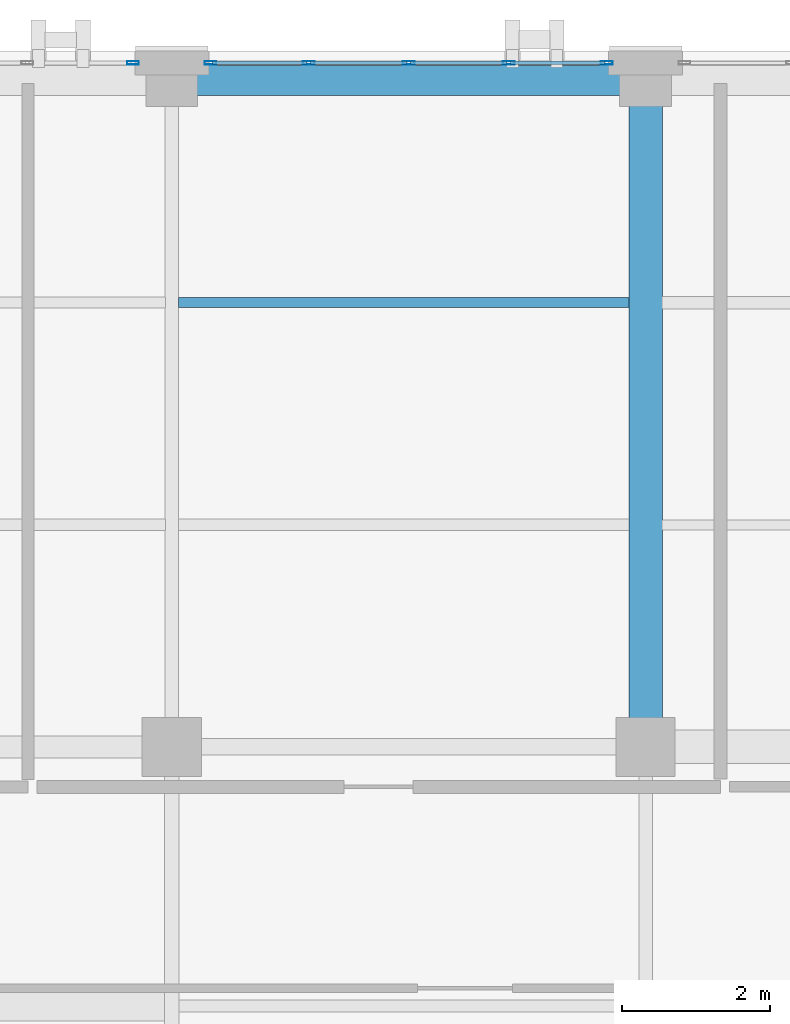
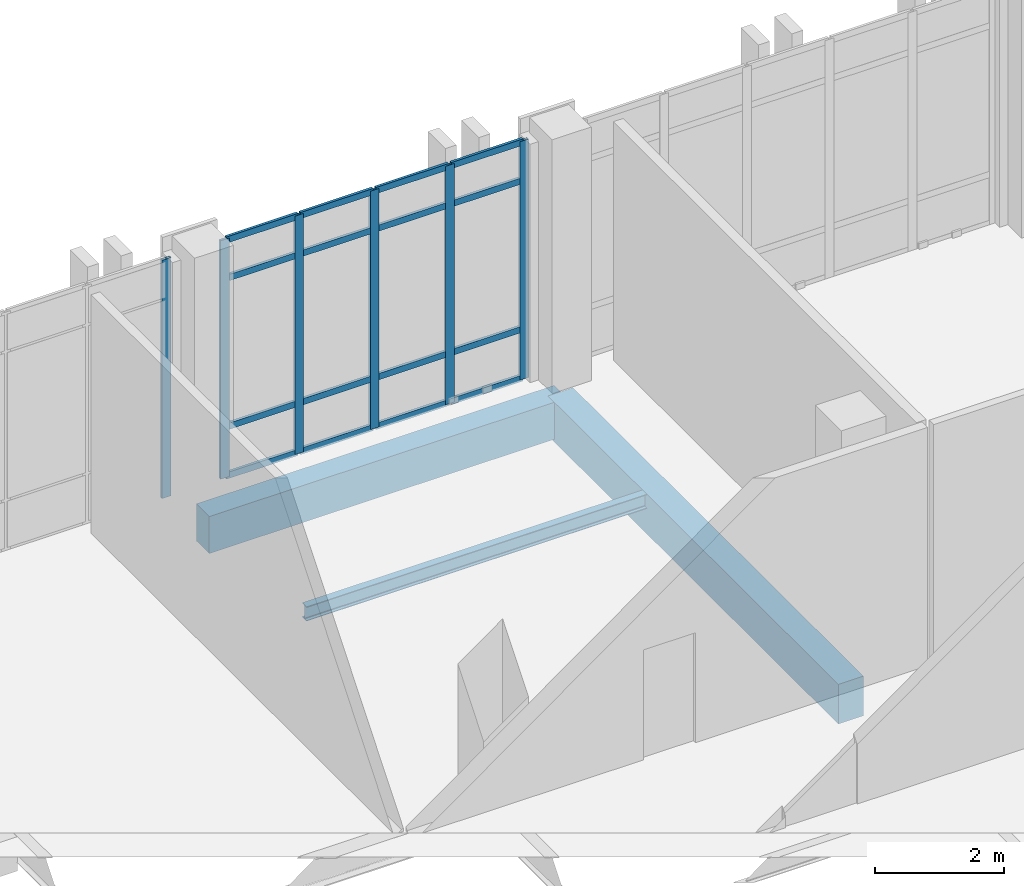
# One storey, part 97 of 189: 22 members, 3 beams, 2 elements without a shape of their own.
"""IFC4 building model written with IfcOpenShell, lengths in metres."""

from ifc_helpers import new_model, si_unit, direction, frame, origin, origin_2d, place, context, subcontext, project, spatial, rectangle, hollow_rectangle, i_section, extrude, material, layer, layer_set, material_profile, profile_set, type_object, element, aggregate, save


model = new_model("IFC4")

# Units and contexts
model_context = context("Model", 3, precision=1e-05, world=origin(), true_north=direction((0.0, 1.0)))
body_context = subcontext(model_context, "Body", "Model", "MODEL_VIEW")
ifc_project = project(units=[si_unit("LENGTHUNIT", "METRE"), si_unit("AREAUNIT", "SQUARE_METRE"), si_unit("VOLUMEUNIT", "CUBIC_METRE"), si_unit("PLANEANGLEUNIT", "RADIAN"), si_unit("MASSUNIT", "GRAM", prefix="KILO")], contexts=[model_context])

# Site, building, storey
site_placement = place(None, origin())
site = spatial("IfcSite", under=ifc_project, at=site_placement, CompositionType="ELEMENT")
building_placement = place(site_placement, origin())
building = spatial("IfcBuilding", under=site, at=building_placement, Name="Qalavern Law Courts", CompositionType="ELEMENT")
storey_placement = place(building_placement, frame((0.0, 0.0, 5.39990234375)))
storey = spatial("IfcBuildingStorey", under=building, at=storey_placement, Name="L01", CompositionType="ELEMENT", Elevation=5.39990234375)

# Curtain wall, members
ifc_material_1 = material(Name="Anodised aluminium and insulated glazing", Category="aluminium")
ifc_layer = layer(ifc_material_1, 0.166015625)
ifc_layer_set = layer_set([ifc_layer], Name="Anodised aluminium and insulated glazing")
curtain_wall_type = type_object("IfcCurtainWallType", Name="ENV-CW-LIB", PredefinedType="USERDEFINED", material=ifc_layer_set)
curtain_wall_1_placement = place(storey_placement, origin())
curtain_wall_1 = element("IfcCurtainWall", 1, at=curtain_wall_1_placement, inside=storey, type_object=curtain_wall_type, Name="V5 unitised curtain wall L01 north 2", ObjectType="UNITISED CURTAIN WALL", PredefinedType="USERDEFINED")
ifc_material_2 = material(Name="Anodised aluminium", Category="aluminium")
ifc_material_profile_1 = material_profile(ifc_material_2, hollow_rectangle(XDim=0.048095703125, YDim=0.159912109375, WallThickness=0.00390625, at=origin_2d()), Name="ALU MULLION 48x160")
ifc_profile_set_1 = profile_set([ifc_material_profile_1], Name="Anodised aluminium")
member_type_1 = type_object("IfcMemberType", Name="ENV-CWM-48x160", PredefinedType="MULLION", material=ifc_profile_set_1)
member_1_placement = place(storey_placement, frame((57.47607421875, 112.83740234375, 0.0), z_axis=(0.0, 0.0, 1.0), x_axis=(0.0, -1.0, 0.0)))
member_1 = element("IfcMember", 2, at=member_1_placement, type_object=member_type_1, Name="CW-05 mullion 1", PredefinedType="MULLION", context=body_context, shape_type="SweptSolid", body=[
    extrude(hollow_rectangle(XDim=0.048095703125, YDim=0.159912109375, WallThickness=0.00390625, at=origin_2d()), origin(), (0.0, 0.0, 1.0), 4.510009765625),
])
member_2_placement = place(storey_placement, frame((56.14990234375, 112.83740234375, 0.0), z_axis=(0.0, 0.0, 1.0), x_axis=(0.0, -1.0, 0.0)))
member_2 = element("IfcMember", 3, at=member_2_placement, type_object=member_type_1, Name="CW-05 mullion 2", PredefinedType="MULLION", context=body_context, shape_type="SweptSolid", body=[
    extrude(hollow_rectangle(XDim=0.048095703125, YDim=0.159912109375, WallThickness=0.00390625, at=origin_2d()), origin(), (0.0, 0.0, 1.0), 4.510009765625),
])
member_3_placement = place(storey_placement, frame((54.800048828125, 112.83740234375, 0.0), z_axis=(0.0, 0.0, 1.0), x_axis=(0.0, -1.0, 0.0)))
member_3 = element("IfcMember", 4, at=member_3_placement, type_object=member_type_1, Name="CW-05 mullion 3", PredefinedType="MULLION", context=body_context, shape_type="SweptSolid", body=[
    extrude(hollow_rectangle(XDim=0.048095703125, YDim=0.159912109375, WallThickness=0.00390625, at=origin_2d()), origin(), (0.0, 0.0, 1.0), 4.510009765625),
])
member_4_placement = place(storey_placement, frame((53.449951171875, 112.83740234375, 0.0), z_axis=(0.0, 0.0, 1.0), x_axis=(0.0, -1.0, 0.0)))
member_4 = element("IfcMember", 5, at=member_4_placement, type_object=member_type_1, Name="CW-05 mullion 4", PredefinedType="MULLION", context=body_context, shape_type="SweptSolid", body=[
    extrude(hollow_rectangle(XDim=0.048095703125, YDim=0.159912109375, WallThickness=0.00390625, at=origin_2d()), origin(), (0.0, 0.0, 1.0), 4.510009765625),
])
member_5_placement = place(storey_placement, frame((52.1240234375, 112.83740234375, 0.0), z_axis=(0.0, 0.0, 1.0), x_axis=(0.0, -1.0, 0.0)))
member_5 = element("IfcMember", 6, at=member_5_placement, type_object=member_type_1, Name="CW-05 mullion 5", PredefinedType="MULLION", context=body_context, shape_type="SweptSolid", body=[
    extrude(hollow_rectangle(XDim=0.048095703125, YDim=0.159912109375, WallThickness=0.00390625, at=origin_2d()), origin(), (0.0, 0.0, 1.0), 4.510009765625),
])

# Curtain wall, member
curtain_wall_2_placement = place(storey_placement, origin())
curtain_wall_2 = element("IfcCurtainWall", 7, at=curtain_wall_2_placement, inside=storey, type_object=curtain_wall_type, Name="V5 unitised curtain wall L01 north 3", ObjectType="UNITISED CURTAIN WALL", PredefinedType="USERDEFINED")
member_6_placement = place(storey_placement, frame((51.075927734375, 112.83740234375, 0.0), z_axis=(0.0, 0.0, 1.0), x_axis=(0.0, -1.0, 0.0)))
member_6 = element("IfcMember", 8, at=member_6_placement, type_object=member_type_1, Name="CW-05 mullion 1", PredefinedType="MULLION", context=body_context, shape_type="SweptSolid", body=[
    extrude(hollow_rectangle(XDim=0.048095703125, YDim=0.159912109375, WallThickness=0.00390625, at=origin_2d()), origin(), (0.0, 0.0, 1.0), 4.510009765625),
])
aggregate(curtain_wall_2, [member_6])

# Member
ifc_material_profile_2 = material_profile(ifc_material_2, hollow_rectangle(XDim=0.048095703125, YDim=0.1201171875, WallThickness=0.00390625, at=origin_2d()), Name="ALU TRANSOM 48x120")
ifc_profile_set_2 = profile_set([ifc_material_profile_2], Name="Anodised aluminium")
member_type_2 = type_object("IfcMemberType", Name="ENV-CWT-48x120", PredefinedType="USERDEFINED", material=ifc_profile_set_2)
member_7_placement = place(storey_placement, frame((57.451904296875, 112.83740234375, 0.024169921875), z_axis=(-1.0, 0.0, 0.0), x_axis=(0.0, -1.0, 0.0)))
member_7 = element("IfcMember", 9, at=member_7_placement, type_object=member_type_2, Name="CW-05 transom 1.1", ObjectType="TRANSOM", PredefinedType="USERDEFINED", context=body_context, shape_type="SweptSolid", body=[
    extrude(hollow_rectangle(XDim=0.048095703125, YDim=0.1201171875, WallThickness=0.00390625, at=origin_2d()), origin(), (0.0, 0.0, 1.0), 1.27783203125),
])

member_8_placement = place(storey_placement, frame((57.451904296875, 112.83740234375, 0.9501953125), z_axis=(-1.0, 0.0, 0.0), x_axis=(0.0, -1.0, 0.0)))
member_8 = element("IfcMember", 10, at=member_8_placement, type_object=member_type_2, Name="CW-05 transom 1.2", ObjectType="TRANSOM", PredefinedType="USERDEFINED", context=body_context, shape_type="SweptSolid", body=[
    extrude(hollow_rectangle(XDim=0.048095703125, YDim=0.1201171875, WallThickness=0.00390625, at=origin_2d()), origin(), (0.0, 0.0, 1.0), 1.27783203125),
])

member_9_placement = place(storey_placement, frame((57.451904296875, 112.83740234375, 3.760009765625), z_axis=(-1.0, 0.0, 0.0), x_axis=(0.0, -1.0, 0.0)))
member_9 = element("IfcMember", 11, at=member_9_placement, type_object=member_type_2, Name="CW-05 transom 1.3", ObjectType="TRANSOM", PredefinedType="USERDEFINED", context=body_context, shape_type="SweptSolid", body=[
    extrude(hollow_rectangle(XDim=0.048095703125, YDim=0.1201171875, WallThickness=0.00390625, at=origin_2d()), origin(), (0.0, 0.0, 1.0), 1.27783203125),
])

member_10_placement = place(storey_placement, frame((57.451904296875, 112.83740234375, 4.486083984375), z_axis=(-1.0, 0.0, 0.0), x_axis=(0.0, -1.0, 0.0)))
member_10 = element("IfcMember", 12, at=member_10_placement, type_object=member_type_2, Name="CW-05 transom 1.4", ObjectType="TRANSOM", PredefinedType="USERDEFINED", context=body_context, shape_type="SweptSolid", body=[
    extrude(hollow_rectangle(XDim=0.048095703125, YDim=0.1201171875, WallThickness=0.00390625, at=origin_2d()), origin(), (0.0, 0.0, 1.0), 1.27783203125),
])

member_11_placement = place(storey_placement, frame((56.1259765625, 112.83740234375, 0.024169921875), z_axis=(-1.0, 0.0, 0.0), x_axis=(0.0, -1.0, 0.0)))
member_11 = element("IfcMember", 13, at=member_11_placement, type_object=member_type_2, Name="CW-05 transom 2.1", ObjectType="TRANSOM", PredefinedType="USERDEFINED", context=body_context, shape_type="SweptSolid", body=[
    extrude(hollow_rectangle(XDim=0.048095703125, YDim=0.1201171875, WallThickness=0.00390625, at=origin_2d()), origin(), (0.0, 0.0, 1.0), 1.302001953125),
])

member_12_placement = place(storey_placement, frame((56.1259765625, 112.83740234375, 0.9501953125), z_axis=(-1.0, 0.0, 0.0), x_axis=(0.0, -1.0, 0.0)))
member_12 = element("IfcMember", 14, at=member_12_placement, type_object=member_type_2, Name="CW-05 transom 2.2", ObjectType="TRANSOM", PredefinedType="USERDEFINED", context=body_context, shape_type="SweptSolid", body=[
    extrude(hollow_rectangle(XDim=0.048095703125, YDim=0.1201171875, WallThickness=0.00390625, at=origin_2d()), origin(), (0.0, 0.0, 1.0), 1.302001953125),
])

member_13_placement = place(storey_placement, frame((56.1259765625, 112.83740234375, 3.760009765625), z_axis=(-1.0, 0.0, 0.0), x_axis=(0.0, -1.0, 0.0)))
member_13 = element("IfcMember", 15, at=member_13_placement, type_object=member_type_2, Name="CW-05 transom 2.3", ObjectType="TRANSOM", PredefinedType="USERDEFINED", context=body_context, shape_type="SweptSolid", body=[
    extrude(hollow_rectangle(XDim=0.048095703125, YDim=0.1201171875, WallThickness=0.00390625, at=origin_2d()), origin(), (0.0, 0.0, 1.0), 1.302001953125),
])

member_14_placement = place(storey_placement, frame((56.1259765625, 112.83740234375, 4.486083984375), z_axis=(-1.0, 0.0, 0.0), x_axis=(0.0, -1.0, 0.0)))
member_14 = element("IfcMember", 16, at=member_14_placement, type_object=member_type_2, Name="CW-05 transom 2.4", ObjectType="TRANSOM", PredefinedType="USERDEFINED", context=body_context, shape_type="SweptSolid", body=[
    extrude(hollow_rectangle(XDim=0.048095703125, YDim=0.1201171875, WallThickness=0.00390625, at=origin_2d()), origin(), (0.0, 0.0, 1.0), 1.302001953125),
])

member_15_placement = place(storey_placement, frame((54.77587890625, 112.83740234375, 0.024169921875), z_axis=(-1.0, 0.0, 0.0), x_axis=(0.0, -1.0, 0.0)))
member_15 = element("IfcMember", 17, at=member_15_placement, type_object=member_type_2, Name="CW-05 transom 3.1", ObjectType="TRANSOM", PredefinedType="USERDEFINED", context=body_context, shape_type="SweptSolid", body=[
    extrude(hollow_rectangle(XDim=0.048095703125, YDim=0.1201171875, WallThickness=0.00390625, at=origin_2d()), origin(), (0.0, 0.0, 1.0), 1.3017578125),
])

member_16_placement = place(storey_placement, frame((54.77587890625, 112.83740234375, 0.9501953125), z_axis=(-1.0, 0.0, 0.0), x_axis=(0.0, -1.0, 0.0)))
member_16 = element("IfcMember", 18, at=member_16_placement, type_object=member_type_2, Name="CW-05 transom 3.2", ObjectType="TRANSOM", PredefinedType="USERDEFINED", context=body_context, shape_type="SweptSolid", body=[
    extrude(hollow_rectangle(XDim=0.048095703125, YDim=0.1201171875, WallThickness=0.00390625, at=origin_2d()), origin(), (0.0, 0.0, 1.0), 1.3017578125),
])

member_17_placement = place(storey_placement, frame((54.77587890625, 112.83740234375, 3.760009765625), z_axis=(-1.0, 0.0, 0.0), x_axis=(0.0, -1.0, 0.0)))
member_17 = element("IfcMember", 19, at=member_17_placement, type_object=member_type_2, Name="CW-05 transom 3.3", ObjectType="TRANSOM", PredefinedType="USERDEFINED", context=body_context, shape_type="SweptSolid", body=[
    extrude(hollow_rectangle(XDim=0.048095703125, YDim=0.1201171875, WallThickness=0.00390625, at=origin_2d()), origin(), (0.0, 0.0, 1.0), 1.3017578125),
])

member_18_placement = place(storey_placement, frame((54.77587890625, 112.83740234375, 4.486083984375), z_axis=(-1.0, 0.0, 0.0), x_axis=(0.0, -1.0, 0.0)))
member_18 = element("IfcMember", 20, at=member_18_placement, type_object=member_type_2, Name="CW-05 transom 3.4", ObjectType="TRANSOM", PredefinedType="USERDEFINED", context=body_context, shape_type="SweptSolid", body=[
    extrude(hollow_rectangle(XDim=0.048095703125, YDim=0.1201171875, WallThickness=0.00390625, at=origin_2d()), origin(), (0.0, 0.0, 1.0), 1.3017578125),
])

member_19_placement = place(storey_placement, frame((53.426025390625, 112.83740234375, 0.024169921875), z_axis=(-1.0, 0.0, 0.0), x_axis=(0.0, -1.0, 0.0)))
member_19 = element("IfcMember", 21, at=member_19_placement, type_object=member_type_2, Name="CW-05 transom 4.1", ObjectType="TRANSOM", PredefinedType="USERDEFINED", context=body_context, shape_type="SweptSolid", body=[
    extrude(hollow_rectangle(XDim=0.048095703125, YDim=0.1201171875, WallThickness=0.00390625, at=origin_2d()), origin(), (0.0, 0.0, 1.0), 1.278076171875),
])

member_20_placement = place(storey_placement, frame((53.426025390625, 112.83740234375, 0.9501953125), z_axis=(-1.0, 0.0, 0.0), x_axis=(0.0, -1.0, 0.0)))
member_20 = element("IfcMember", 22, at=member_20_placement, type_object=member_type_2, Name="CW-05 transom 4.2", ObjectType="TRANSOM", PredefinedType="USERDEFINED", context=body_context, shape_type="SweptSolid", body=[
    extrude(hollow_rectangle(XDim=0.048095703125, YDim=0.1201171875, WallThickness=0.00390625, at=origin_2d()), origin(), (0.0, 0.0, 1.0), 1.278076171875),
])

member_21_placement = place(storey_placement, frame((53.426025390625, 112.83740234375, 3.760009765625), z_axis=(-1.0, 0.0, 0.0), x_axis=(0.0, -1.0, 0.0)))
member_21 = element("IfcMember", 23, at=member_21_placement, type_object=member_type_2, Name="CW-05 transom 4.3", ObjectType="TRANSOM", PredefinedType="USERDEFINED", context=body_context, shape_type="SweptSolid", body=[
    extrude(hollow_rectangle(XDim=0.048095703125, YDim=0.1201171875, WallThickness=0.00390625, at=origin_2d()), origin(), (0.0, 0.0, 1.0), 1.278076171875),
])

member_22_placement = place(storey_placement, frame((53.426025390625, 112.83740234375, 4.486083984375), z_axis=(-1.0, 0.0, 0.0), x_axis=(0.0, -1.0, 0.0)))
member_22 = element("IfcMember", 24, at=member_22_placement, type_object=member_type_2, Name="CW-05 transom 4.4", ObjectType="TRANSOM", PredefinedType="USERDEFINED", context=body_context, shape_type="SweptSolid", body=[
    extrude(hollow_rectangle(XDim=0.048095703125, YDim=0.1201171875, WallThickness=0.00390625, at=origin_2d()), origin(), (0.0, 0.0, 1.0), 1.278076171875),
])

aggregate(curtain_wall_1, [member_1, member_2, member_3, member_4, member_5, member_7, member_8, member_9, member_10, member_11, member_12, member_13, member_14, member_15, member_16, member_17, member_18, member_19, member_20, member_21, member_22])

# Beams
ifc_material_3 = material(Name="Concrete C40/50", Category="concrete")
ifc_material_profile_3 = material_profile(ifc_material_3, rectangle(XDim=0.449951171875, YDim=0.75, at=origin_2d()), Name="RC 450x750")
ifc_profile_set_3 = profile_set([ifc_material_profile_3], Name="Concrete C40/50")
beam_type_1 = type_object("IfcBeamType", Name="STR-BM-RC450x750", PredefinedType="BEAM", material=ifc_profile_set_3)
beam_1_placement = place(storey_placement, frame((58.0, 103.60009765625, -0.6748046875), z_axis=(0.0, 1.0, 0.0), x_axis=(-1.0, 0.0, 0.0)))
element("IfcBeam", 25, at=beam_1_placement, inside=storey, type_object=beam_type_1, Name="V5 Y-beam 8-2 L01", PredefinedType="BEAM", context=body_context, shape_type="SweptSolid", body=[
    extrude(rectangle(XDim=0.449951171875, YDim=0.75, at=origin_2d()), origin(), (0.0, 0.0, 1.0), 9.0),
])
ifc_material_4 = material(Name="Steel S355", Category="steel")
ifc_material_profile_4 = material_profile(ifc_material_4, i_section(OverallWidth=0.135009765625, OverallDepth=0.27001953125, WebThickness=0.006591796875, FlangeThickness=0.01025390625, FilletRadius=0.014892578125, at=origin_2d()), Name="IPE 270")
ifc_profile_set_4 = profile_set([ifc_material_profile_4], Name="Steel S355")
beam_type_2 = type_object("IfcBeamType", Name="STR-JST-IPE270", PredefinedType="JOIST", material=ifc_profile_set_4)
beam_2_placement = place(storey_placement, frame((51.68798828125, 109.60009765625, -0.434814453125), z_axis=(1.0, 0.0, 0.0), x_axis=(0.0, 1.0, 0.0)))
element("IfcBeam", 26, at=beam_2_placement, inside=storey, type_object=beam_type_2, Name="V5 secondary joist 7.2.2 L01", PredefinedType="JOIST", context=body_context, shape_type="SweptSolid", body=[
    extrude(i_section(OverallWidth=0.135009765625, OverallDepth=0.27001953125, WebThickness=0.006591796875, FlangeThickness=0.01025390625, FilletRadius=0.014892578125, at=origin_2d()), origin(), (0.0, 0.0, 1.0), 6.089111328125),
])
ifc_material_profile_5 = material_profile(ifc_material_3, rectangle(XDim=0.39990234375, YDim=0.699951171875, at=origin_2d()), Name="RC 400x700")
ifc_profile_set_5 = profile_set([ifc_material_profile_5], Name="Concrete C40/50")
beam_type_3 = type_object("IfcBeamType", Name="STR-SP-RC400x700", PredefinedType="SPANDREL", material=ifc_profile_set_5)
beam_3_placement = place(storey_placement, frame((51.60009765625, 112.60009765625, -0.64990234375), z_axis=(1.0, 0.0, 0.0), x_axis=(0.0, 1.0, 0.0)))
element("IfcBeam", 27, at=beam_3_placement, inside=storey, type_object=beam_type_3, Name="V5 X-beam 3-7 L01", PredefinedType="SPANDREL", context=body_context, shape_type="SweptSolid", body=[
    extrude(rectangle(XDim=0.39990234375, YDim=0.699951171875, at=origin_2d()), origin(), (0.0, 0.0, 1.0), 6.39990234375),
])

save(model, "model.ifc")
